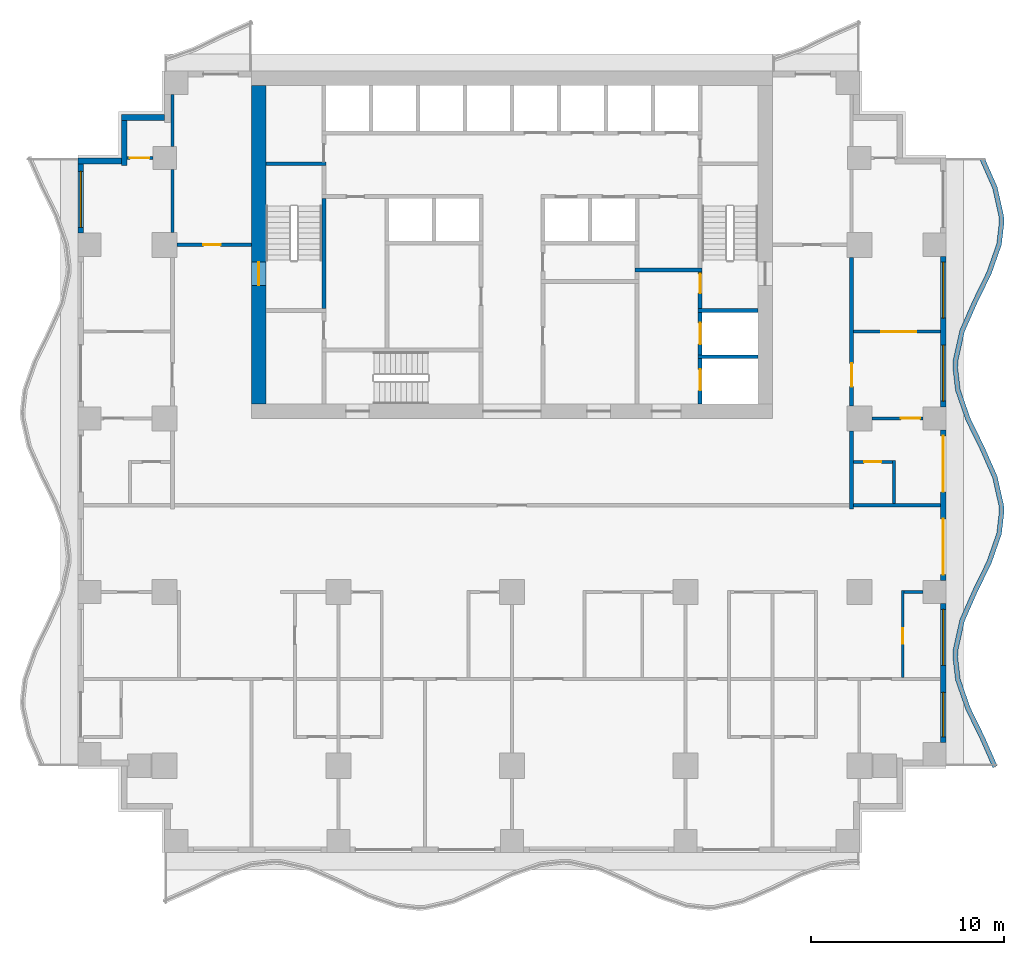
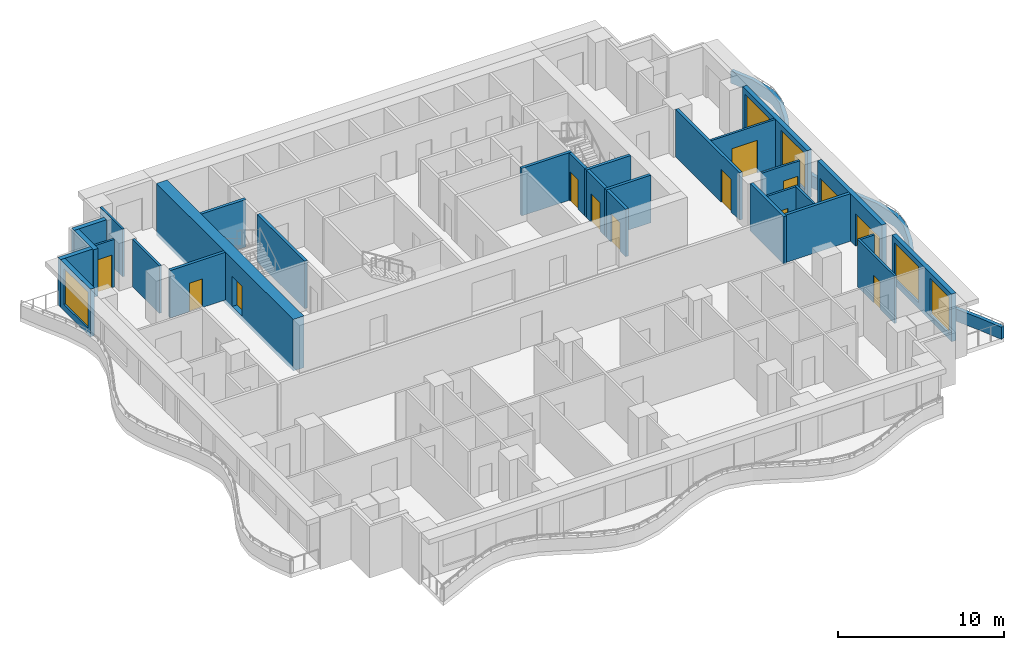
# One storey, part 4 of 10: 30 walls, 13 doors, 5 windows, 18 openings.
"""IFC4 building model written with IfcOpenShell, lengths in metres."""

from ifc_helpers import new_model, si_unit, direction, frame, frame_2d, origin, place, context, subcontext, project, spatial, polyline, rectangle, outline, extrude, material, layer, layer_set, type_object, element, fill, save


model = new_model("IFC4")

# Units and contexts
model_context = context("Model", 3, precision=1e-05, world=origin(), true_north=direction((0.0, 1.0)))
body_context = subcontext(model_context, "Body", "Model", "MODEL_VIEW")
ifc_project = project(units=[si_unit("LENGTHUNIT", "METRE"), si_unit("AREAUNIT", "SQUARE_METRE"), si_unit("VOLUMEUNIT", "CUBIC_METRE"), si_unit("PLANEANGLEUNIT", "RADIAN"), si_unit("MASSUNIT", "GRAM", prefix="KILO")], contexts=[model_context])

# Site, building, storey
site_placement = place(None, origin())
site = spatial("IfcSite", under=ifc_project, at=site_placement, CompositionType="ELEMENT")
building_placement = place(site_placement, origin())
building = spatial("IfcBuilding", under=site, at=building_placement, Name="Orbiselva Terraces", CompositionType="ELEMENT")
storey_placement = place(building_placement, frame((0.0, 0.0, 125.0)))
storey = spatial("IfcBuildingStorey", under=building, at=storey_placement, Name="L31", CompositionType="ELEMENT", Elevation=125.0)

# Wall, opening, door
ifc_material_1 = material(Name="Concrete C80/95", Category="concrete")
ifc_layer_1 = layer(ifc_material_1, 0.75)
ifc_layer_set_1 = layer_set([ifc_layer_1], Name="Concrete C80/95")
wall_type_1 = type_object("IfcWallType", Name="CORE WALL 750", PredefinedType="SHEAR", material=ifc_layer_set_1)
wall_1_placement = place(storey_placement, frame((-13.125, 21.75, -0.3), z_axis=(0.0, 0.0, 1.0), x_axis=(0.0, -1.0, 0.0)))
wall_1 = element("IfcWall", 1, at=wall_1_placement, inside=storey, type_object=wall_type_1, Name="Core wall L31 west", PredefinedType="SHEAR", context=body_context, shape_type="SweptSolid", body=[
    extrude(rectangle(XDim=16.5, YDim=0.75, at=frame_2d((8.25, 0.0))), origin(), (0.0, 0.0, 1.0), 3.8),
])
opening_1_placement = place(wall_1_placement, frame((9.15, 0.0, 0.3)))
opening_1 = element("IfcOpeningElement", 2, at=opening_1_placement, cuts=wall_1, Name="Opening DS1200", PredefinedType="OPENING", context=body_context, shape_type="SweptSolid", body=[
    extrude(rectangle(XDim=1.2, YDim=2.2, at=frame_2d((0.6, 1.1))), frame((0.0, 0.385, 0.0), z_axis=(0.0, -1.0, 0.0), x_axis=(1.0, 0.0, 0.0)), (0.0, 0.0, 1.0), 0.77),
])
ifc_material_2 = material(Name="Steel fire door", Category="steel")
door_type_1 = type_object("IfcDoorType", Name="STAIR DOOR 1200", OperationType="NOTDEFINED", PredefinedType="DOOR", material=ifc_material_2)
door_1_placement = place(opening_1_placement, frame((1.2, 0.0, 0.0), z_axis=(0.0, 0.0, 1.0), x_axis=(-1.0, 0.0, 0.0)))
door_1 = element("IfcDoor", 3, at=door_1_placement, inside=storey, type_object=door_type_1, Name="L31 EXIT STAIR S1 door", OperationType="SINGLE_SWING_RIGHT", OverallHeight=2.2, OverallWidth=1.2, PredefinedType="DOOR", context=body_context, shape_type="SweptSolid", body=[
    extrude(rectangle(XDim=1.2, YDim=2.2, at=frame_2d((0.6, 1.1))), frame((0.0, 0.025, 0.0), z_axis=(0.0, -1.0, 0.0), x_axis=(1.0, 0.0, 0.0)), (0.0, 0.0, 1.0), 0.05),
])
fill(opening_1, door_1)

# Walls
ifc_material_3 = material(Name="Concrete C60/75", Category="concrete")
ifc_layer_2 = layer(ifc_material_3, 0.2)
ifc_layer_set_2 = layer_set([ifc_layer_2], Name="Concrete C60/75")
wall_type_2 = type_object("IfcWallType", Name="CORE-WALL-SHEAR-200", PredefinedType="SHEAR", material=ifc_layer_set_2)
wall_2_placement = place(storey_placement, frame((-12.75, 17.7, 0.0), z_axis=(0.0, 0.0, 1.0), x_axis=(1.0, 0.0, 0.0)))
element("IfcWall", 4, at=wall_2_placement, inside=storey, type_object=wall_type_2, Name="L31 core wall 02", PredefinedType="SHEAR", context=body_context, shape_type="SweptSolid", body=[
    extrude(rectangle(XDim=3.1, YDim=0.2, at=frame_2d((1.55, 0.0))), origin(), (0.0, 0.0, 1.0), 3.5),
])
wall_3_placement = place(storey_placement, frame((-9.75, 10.2, 0.0), z_axis=(0.0, 0.0, 1.0), x_axis=(0.0, 1.0, 0.0)))
element("IfcWall", 5, at=wall_3_placement, inside=storey, type_object=wall_type_2, Name="L31 core wall 06", PredefinedType="SHEAR", context=body_context, shape_type="SweptSolid", body=[
    extrude(rectangle(XDim=5.7, YDim=0.2, at=frame_2d((2.85, 0.0))), origin(), (0.0, 0.0, 1.0), 3.5),
])
wall_4_placement = place(storey_placement, frame((6.375, 12.2, 0.0), z_axis=(0.0, 0.0, 1.0), x_axis=(1.0, 0.0, 0.0)))
element("IfcWall", 6, at=wall_4_placement, inside=storey, type_object=wall_type_2, Name="L31 core wall 34", PredefinedType="SHEAR", context=body_context, shape_type="SweptSolid", body=[
    extrude(rectangle(XDim=3.475, YDim=0.2, at=frame_2d((1.7375, 0.0))), origin(), (0.0, 0.0, 1.0), 3.5),
])

# Wall, opening, door
wall_5_placement = place(storey_placement, frame((9.75, 5.25, 0.0), z_axis=(0.0, 0.0, 1.0), x_axis=(0.0, 1.0, 0.0)))
wall_5 = element("IfcWall", 7, at=wall_5_placement, inside=storey, type_object=wall_type_2, Name="L31 core wall 38", PredefinedType="SHEAR", context=body_context, shape_type="SweptSolid", body=[
    extrude(rectangle(XDim=2.35, YDim=0.2, at=frame_2d((1.175, 0.0))), origin(), (0.0, 0.0, 1.0), 3.5),
])
opening_2_placement = place(wall_5_placement, frame((0.7, 0.0, 0.0)))
opening_2 = element("IfcOpeningElement", 8, at=opening_2_placement, cuts=wall_5, Name="Opening LD-FF1", PredefinedType="OPENING", context=body_context, shape_type="SweptSolid", body=[
    extrude(rectangle(XDim=1.1, YDim=2.1, at=frame_2d((0.55, 1.05))), frame((0.0, 0.11, 0.0), z_axis=(0.0, -1.0, 0.0), x_axis=(1.0, 0.0, 0.0)), (0.0, 0.0, 1.0), 0.22),
])
ifc_material_4 = material(Name="Stainless steel landing door", Category="steel")
door_type_2 = type_object("IfcDoorType", Name="LANDING DOOR 1100", OperationType="SLIDING_TO_LEFT", PredefinedType="DOOR", material=ifc_material_4)
door_2_placement = place(opening_2_placement, origin())
door_2 = element("IfcDoor", 9, at=door_2_placement, inside=storey, type_object=door_type_2, Name="L31 landing door FF1", OperationType="SLIDING_TO_RIGHT", OverallHeight=2.1, OverallWidth=1.1, PredefinedType="DOOR", context=body_context, shape_type="SweptSolid", body=[
    extrude(rectangle(XDim=1.1, YDim=2.1, at=frame_2d((0.55, 1.05))), frame((0.0, 0.025, 0.0), z_axis=(0.0, -1.0, 0.0), x_axis=(1.0, 0.0, 0.0)), (0.0, 0.0, 1.0), 0.05),
])
fill(opening_2, door_2)

# Wall
wall_6_placement = place(storey_placement, frame((9.65, 7.7, 0.0), z_axis=(0.0, 0.0, 1.0), x_axis=(1.0, 0.0, 0.0)))
element("IfcWall", 10, at=wall_6_placement, inside=storey, type_object=wall_type_2, Name="L31 core wall 39", PredefinedType="SHEAR", context=body_context, shape_type="SweptSolid", body=[
    extrude(rectangle(XDim=3.1, YDim=0.2, at=frame_2d((1.55, 0.0))), origin(), (0.0, 0.0, 1.0), 3.5),
])

# Wall, opening, door
wall_7_placement = place(storey_placement, frame((9.75, 7.8, 0.0), z_axis=(0.0, 0.0, 1.0), x_axis=(0.0, 1.0, 0.0)))
wall_7 = element("IfcWall", 11, at=wall_7_placement, inside=storey, type_object=wall_type_2, Name="L31 core wall 40", PredefinedType="SHEAR", context=body_context, shape_type="SweptSolid", body=[
    extrude(rectangle(XDim=2.2, YDim=0.2, at=frame_2d((1.1, 0.0))), origin(), (0.0, 0.0, 1.0), 3.5),
])
opening_3_placement = place(wall_7_placement, frame((0.55, 0.0, 0.0)))
opening_3 = element("IfcOpeningElement", 12, at=opening_3_placement, cuts=wall_7, Name="Opening LD-FF2", PredefinedType="OPENING", context=body_context, shape_type="SweptSolid", body=[
    extrude(rectangle(XDim=1.1, YDim=2.1, at=frame_2d((0.55, 1.05))), frame((0.0, 0.11, 0.0), z_axis=(0.0, -1.0, 0.0), x_axis=(1.0, 0.0, 0.0)), (0.0, 0.0, 1.0), 0.22),
])
door_3_placement = place(opening_3_placement, origin())
door_3 = element("IfcDoor", 13, at=door_3_placement, inside=storey, type_object=door_type_2, Name="L31 landing door FF2", OperationType="SLIDING_TO_RIGHT", OverallHeight=2.1, OverallWidth=1.1, PredefinedType="DOOR", context=body_context, shape_type="SweptSolid", body=[
    extrude(rectangle(XDim=1.1, YDim=2.1, at=frame_2d((0.55, 1.05))), frame((0.0, 0.025, 0.0), z_axis=(0.0, -1.0, 0.0), x_axis=(1.0, 0.0, 0.0)), (0.0, 0.0, 1.0), 0.05),
])
fill(opening_3, door_3)

# Wall
wall_8_placement = place(storey_placement, frame((9.65, 10.1, 0.0), z_axis=(0.0, 0.0, 1.0), x_axis=(1.0, 0.0, 0.0)))
element("IfcWall", 14, at=wall_8_placement, inside=storey, type_object=wall_type_2, Name="L31 core wall 41", PredefinedType="SHEAR", context=body_context, shape_type="SweptSolid", body=[
    extrude(rectangle(XDim=3.1, YDim=0.2, at=frame_2d((1.55, 0.0))), origin(), (0.0, 0.0, 1.0), 3.5),
])

# Wall, opening, door
wall_9_placement = place(storey_placement, frame((9.75, 12.1, 0.0), z_axis=(0.0, 0.0, 1.0), x_axis=(0.0, -1.0, 0.0)))
wall_9 = element("IfcWall", 15, at=wall_9_placement, inside=storey, type_object=wall_type_2, Name="L31 core wall 42", PredefinedType="SHEAR", context=body_context, shape_type="SweptSolid", body=[
    extrude(rectangle(XDim=1.9, YDim=0.2, at=frame_2d((0.95, 0.0))), origin(), (0.0, 0.0, 1.0), 3.5),
])
opening_4_placement = place(wall_9_placement, frame((0.1, 0.0, 0.0)))
opening_4 = element("IfcOpeningElement", 16, at=opening_4_placement, cuts=wall_9, Name="Opening DS1000", PredefinedType="OPENING", context=body_context, shape_type="SweptSolid", body=[
    extrude(rectangle(XDim=1.0, YDim=2.2, at=frame_2d((0.5, 1.1))), frame((0.0, 0.11, 0.0), z_axis=(0.0, -1.0, 0.0), x_axis=(1.0, 0.0, 0.0)), (0.0, 0.0, 1.0), 0.22),
])
door_type_3 = type_object("IfcDoorType", Name="STAIR DOOR 1000", OperationType="NOTDEFINED", PredefinedType="DOOR", material=ifc_material_2)
door_4_placement = place(opening_4_placement, origin())
door_4 = element("IfcDoor", 17, at=door_4_placement, inside=storey, type_object=door_type_3, Name="L31 FIRE-FIGHTING LOBBY TO EXIT STAIR S2 door", OperationType="SINGLE_SWING_LEFT", OverallHeight=2.2, OverallWidth=1.0, PredefinedType="DOOR", context=body_context, shape_type="SweptSolid", body=[
    extrude(rectangle(XDim=1.0, YDim=2.2, at=frame_2d((0.5, 1.1))), frame((0.0, 0.025, 0.0), z_axis=(0.0, -1.0, 0.0), x_axis=(1.0, 0.0, 0.0)), (0.0, 0.0, 1.0), 0.05),
])
fill(opening_4, door_4)

# Wall
ifc_material_5 = material(Name="Concrete C40/50", Category="concrete")
ifc_layer_3 = layer(ifc_material_5, 0.25)
ifc_layer_set_3 = layer_set([ifc_layer_3], Name="Concrete C40/50")
wall_type_3 = type_object("IfcWallType", Name="ENV-PLANTER-250x900", PredefinedType="USERDEFINED", material=ifc_layer_set_3)
wall_10_placement = place(storey_placement, origin())
element("IfcWall", 18, at=wall_10_placement, inside=storey, type_object=wall_type_3, Name="Balcony planter L31 E", ObjectType="PLANTER", PredefinedType="USERDEFINED", context=body_context, shape_type="SweptSolid", body=[
    extrude(outline(polyline([(25.148528, -13.5), (24.487721, -12.0), (23.755211, -10.5), (23.230792, -9.0), (23.1, -7.875), (23.114774, -7.5), (23.451472, -6.0), (24.112279, -4.5), (24.844789, -3.0), (25.369208, -1.5), (25.5, -0.375), (25.485226, 0.0), (25.148528, 1.5), (24.487721, 3.0), (23.755211, 4.5), (23.230792, 6.0), (23.1, 7.125), (23.114774, 7.5), (23.451472, 9.0), (24.112279, 10.5), (24.844789, 12.0), (25.369208, 13.5), (25.5, 14.625), (25.485226, 15.0), (25.148528, 16.5), (24.487721, 18.0), (24.258938, 17.899212), (24.90993, 16.421492), (25.236315, 14.967435), (25.249429, 14.634572), (25.124078, 13.556371), (24.613667, 12.09644), (23.885477, 10.605286), (23.212874, 9.078508), (22.865863, 7.532565), (22.849429, 7.115428), (22.985662, 5.943629), (23.524089, 4.40356), (24.260919, 2.894714), (24.90993, 1.421492), (25.236315, -0.032565), (25.249429, -0.365428), (25.124078, -1.443629), (24.613667, -2.90356), (23.885477, -4.394714), (23.212874, -5.921492), (22.865863, -7.467435), (22.849429, -7.884572), (22.985662, -9.056371), (23.524089, -10.59644), (24.260919, -12.105286), (24.919745, -13.600788), (25.148528, -13.5)])), origin(), (0.0, 0.0, 1.0), 0.9),
])

# Wall, openings, windows
ifc_material_6 = material(Name="Terracotta cladding on masonry backing", Category="masonry")
ifc_layer_4 = layer(ifc_material_6, 0.3)
ifc_layer_set_4 = layer_set([ifc_layer_4], Name="Terracotta cladding on masonry backing")
wall_type_4 = type_object("IfcWallType", Name="ENV-WALL-TERRACOTTA-300", PredefinedType="SOLIDWALL", material=ifc_layer_set_4)
wall_11_placement = place(storey_placement, frame((22.35, -5.1, 0.0), z_axis=(0.0, 0.0, 1.0), x_axis=(0.0, -1.0, 0.0)))
wall_11 = element("IfcWall", 19, at=wall_11_placement, inside=storey, type_object=wall_type_4, Name="Facade wall L31 E", PredefinedType="SOLIDWALL", context=body_context, shape_type="SweptSolid", body=[
    extrude(rectangle(XDim=7.2, YDim=0.3, at=frame_2d((3.6, 0.0))), origin(), (0.0, 0.0, 1.0), 3.5),
])
opening_5_placement = place(wall_11_placement, frame((4.6, 0.0, 0.45)))
opening_5 = element("IfcOpeningElement", 20, at=opening_5_placement, cuts=wall_11, Name="Opening WN7", PredefinedType="OPENING", context=body_context, shape_type="SweptSolid", body=[
    extrude(rectangle(XDim=2.3, YDim=2.65, at=frame_2d((1.15, 1.325))), frame((0.0, 0.16, 0.0), z_axis=(0.0, -1.0, 0.0), x_axis=(1.0, 0.0, 0.0)), (0.0, 0.0, 1.0), 0.32),
])
opening_6_placement = place(wall_11_placement, frame((0.3, 0.0, 0.45)))
opening_6 = element("IfcOpeningElement", 21, at=opening_6_placement, cuts=wall_11, Name="Opening WN8", PredefinedType="OPENING", context=body_context, shape_type="SweptSolid", body=[
    extrude(rectangle(XDim=2.9, YDim=2.65, at=frame_2d((1.45, 1.325))), frame((0.0, 0.16, 0.0), z_axis=(0.0, -1.0, 0.0), x_axis=(1.0, 0.0, 0.0)), (0.0, 0.0, 1.0), 0.32),
])
ifc_material_7 = material(Name="Clear low-e glazing in aluminium frame", Category="aluminium")
window_type_1 = type_object("IfcWindowType", Name="WINDOW 2300 X 2650 S450", PartitioningType="TRIPLE_PANEL_VERTICAL", PredefinedType="WINDOW", material=ifc_material_7)
window_1_placement = place(opening_5_placement, origin())
window_1 = element("IfcWindow", 22, at=window_1_placement, inside=storey, type_object=window_type_1, Name="Window L31 E", OverallHeight=2.65, OverallWidth=2.3, PartitioningType="SINGLE_PANEL", PredefinedType="WINDOW", context=body_context, shape_type="SweptSolid", body=[
    extrude(rectangle(XDim=2.3, YDim=2.65, at=frame_2d((1.15, 1.325))), frame((0.0, 0.03, 0.0), z_axis=(0.0, -1.0, 0.0), x_axis=(1.0, 0.0, 0.0)), (0.0, 0.0, 1.0), 0.06),
])
fill(opening_5, window_1)
window_type_2 = type_object("IfcWindowType", Name="WINDOW 2900 X 2650 S450", PartitioningType="TRIPLE_PANEL_VERTICAL", PredefinedType="WINDOW", material=ifc_material_7)
window_2_placement = place(opening_6_placement, origin())
window_2 = element("IfcWindow", 23, at=window_2_placement, inside=storey, type_object=window_type_2, Name="Window L31 E", OverallHeight=2.65, OverallWidth=2.9, PartitioningType="SINGLE_PANEL", PredefinedType="WINDOW", context=body_context, shape_type="SweptSolid", body=[
    extrude(rectangle(XDim=2.9, YDim=2.65, at=frame_2d((1.45, 1.325))), frame((0.0, 0.03, 0.0), z_axis=(0.0, -1.0, 0.0), x_axis=(1.0, 0.0, 0.0)), (0.0, 0.0, 1.0), 0.06),
])
fill(opening_6, window_2)

# Wall, openings, doors
wall_12_placement = place(storey_placement, frame((22.35, 3.9, 0.0), z_axis=(0.0, 0.0, 1.0), x_axis=(0.0, -1.0, 0.0)))
wall_12 = element("IfcWall", 24, at=wall_12_placement, inside=storey, type_object=wall_type_4, Name="Facade wall L31 E", PredefinedType="SOLIDWALL", context=body_context, shape_type="SweptSolid", body=[
    extrude(rectangle(XDim=7.8, YDim=0.3, at=frame_2d((3.9, 0.0))), origin(), (0.0, 0.0, 1.0), 3.5),
])
opening_7_placement = place(wall_12_placement, frame((4.6, 0.0, 0.0)))
opening_7 = element("IfcOpeningElement", 25, at=opening_7_placement, cuts=wall_12, Name="Opening Z3-A-E04", PredefinedType="OPENING", context=body_context, shape_type="SweptSolid", body=[
    extrude(rectangle(XDim=2.9, YDim=2.4, at=frame_2d((1.45, 1.2))), frame((0.0, 0.16, 0.0), z_axis=(0.0, -1.0, 0.0), x_axis=(1.0, 0.0, 0.0)), (0.0, 0.0, 1.0), 0.32),
])
opening_8_placement = place(wall_12_placement, frame((0.3, 0.0, 0.0)))
opening_8 = element("IfcOpeningElement", 26, at=opening_8_placement, cuts=wall_12, Name="Opening Z3-A-E05", PredefinedType="OPENING", context=body_context, shape_type="SweptSolid", body=[
    extrude(rectangle(XDim=2.9, YDim=2.4, at=frame_2d((1.45, 1.2))), frame((0.0, 0.16, 0.0), z_axis=(0.0, -1.0, 0.0), x_axis=(1.0, 0.0, 0.0)), (0.0, 0.0, 1.0), 0.32),
])
door_type_4 = type_object("IfcDoorType", Name="BALCONY DOOR 2900 X 2400", OperationType="DOUBLE_DOOR_SLIDING", PredefinedType="DOOR", material=ifc_material_7)
door_5_placement = place(opening_7_placement, origin())
door_5 = element("IfcDoor", 27, at=door_5_placement, inside=storey, type_object=door_type_4, Name="Z3-A-E04", OperationType="SINGLE_SWING_LEFT", OverallHeight=2.4, OverallWidth=2.9, PredefinedType="DOOR", context=body_context, shape_type="SweptSolid", body=[
    extrude(rectangle(XDim=2.9, YDim=2.4, at=frame_2d((1.45, 1.2))), frame((0.0, 0.025, 0.0), z_axis=(0.0, -1.0, 0.0), x_axis=(1.0, 0.0, 0.0)), (0.0, 0.0, 1.0), 0.05),
])
fill(opening_7, door_5)
door_6_placement = place(opening_8_placement, origin())
door_6 = element("IfcDoor", 28, at=door_6_placement, inside=storey, type_object=door_type_4, Name="Z3-A-E05", OperationType="SINGLE_SWING_LEFT", OverallHeight=2.4, OverallWidth=2.9, PredefinedType="DOOR", context=body_context, shape_type="SweptSolid", body=[
    extrude(rectangle(XDim=2.9, YDim=2.4, at=frame_2d((1.45, 1.2))), frame((0.0, 0.025, 0.0), z_axis=(0.0, -1.0, 0.0), x_axis=(1.0, 0.0, 0.0)), (0.0, 0.0, 1.0), 0.05),
])
fill(opening_8, door_6)

# Wall, openings, windows
wall_13_placement = place(storey_placement, frame((22.35, 12.9, 0.0), z_axis=(0.0, 0.0, 1.0), x_axis=(0.0, -1.0, 0.0)))
wall_13 = element("IfcWall", 29, at=wall_13_placement, inside=storey, type_object=wall_type_4, Name="Facade wall L31 E", PredefinedType="SOLIDWALL", context=body_context, shape_type="SweptSolid", body=[
    extrude(rectangle(XDim=7.8, YDim=0.3, at=frame_2d((3.9, 0.0))), origin(), (0.0, 0.0, 1.0), 3.5),
])
opening_9_placement = place(wall_13_placement, frame((4.6, 0.0, 0.45)))
opening_9 = element("IfcOpeningElement", 30, at=opening_9_placement, cuts=wall_13, Name="Opening WN8", PredefinedType="OPENING", context=body_context, shape_type="SweptSolid", body=[
    extrude(rectangle(XDim=2.9, YDim=2.65, at=frame_2d((1.45, 1.325))), frame((0.0, 0.16, 0.0), z_axis=(0.0, -1.0, 0.0), x_axis=(1.0, 0.0, 0.0)), (0.0, 0.0, 1.0), 0.32),
])
opening_10_placement = place(wall_13_placement, frame((0.3, 0.0, 0.45)))
opening_10 = element("IfcOpeningElement", 31, at=opening_10_placement, cuts=wall_13, Name="Opening WN8", PredefinedType="OPENING", context=body_context, shape_type="SweptSolid", body=[
    extrude(rectangle(XDim=2.9, YDim=2.65, at=frame_2d((1.45, 1.325))), frame((0.0, 0.16, 0.0), z_axis=(0.0, -1.0, 0.0), x_axis=(1.0, 0.0, 0.0)), (0.0, 0.0, 1.0), 0.32),
])
window_3_placement = place(opening_9_placement, origin())
window_3 = element("IfcWindow", 32, at=window_3_placement, inside=storey, type_object=window_type_2, Name="Window L31 E", OverallHeight=2.65, OverallWidth=2.9, PartitioningType="SINGLE_PANEL", PredefinedType="WINDOW", context=body_context, shape_type="SweptSolid", body=[
    extrude(rectangle(XDim=2.9, YDim=2.65, at=frame_2d((1.45, 1.325))), frame((0.0, 0.03, 0.0), z_axis=(0.0, -1.0, 0.0), x_axis=(1.0, 0.0, 0.0)), (0.0, 0.0, 1.0), 0.06),
])
fill(opening_9, window_3)
window_4_placement = place(opening_10_placement, origin())
window_4 = element("IfcWindow", 33, at=window_4_placement, inside=storey, type_object=window_type_2, Name="Window L31 E", OverallHeight=2.65, OverallWidth=2.9, PartitioningType="SINGLE_PANEL", PredefinedType="WINDOW", context=body_context, shape_type="SweptSolid", body=[
    extrude(rectangle(XDim=2.9, YDim=2.65, at=frame_2d((1.45, 1.325))), frame((0.0, 0.03, 0.0), z_axis=(0.0, -1.0, 0.0), x_axis=(1.0, 0.0, 0.0)), (0.0, 0.0, 1.0), 0.06),
])
fill(opening_10, window_4)

# Walls
wall_14_placement = place(storey_placement, frame((-20.25, 20.1, 0.0), z_axis=(0.0, 0.0, 1.0), x_axis=(1.0, 0.0, 0.0)))
element("IfcWall", 34, at=wall_14_placement, inside=storey, type_object=wall_type_4, Name="Facade wall L31 STEP", PredefinedType="SOLIDWALL", context=body_context, shape_type="SweptSolid", body=[
    extrude(rectangle(XDim=2.25, YDim=0.3, at=frame_2d((1.125, 0.0))), origin(), (0.0, 0.0, 1.0), 3.5),
])
wall_15_placement = place(storey_placement, frame((-20.1, 17.6, 0.0), z_axis=(0.0, 0.0, 1.0), x_axis=(0.0, 1.0, 0.0)))
element("IfcWall", 35, at=wall_15_placement, inside=storey, type_object=wall_type_4, Name="Facade wall L31 STEP", PredefinedType="SOLIDWALL", context=body_context, shape_type="SweptSolid", body=[
    extrude(rectangle(XDim=2.35, YDim=0.3, at=frame_2d((1.175, 0.0))), origin(), (0.0, 0.0, 1.0), 3.5),
])
wall_16_placement = place(storey_placement, frame((-22.5, 17.85, 0.0), z_axis=(0.0, 0.0, 1.0), x_axis=(1.0, 0.0, 0.0)))
element("IfcWall", 36, at=wall_16_placement, inside=storey, type_object=wall_type_4, Name="Facade wall L31 STEP", PredefinedType="SOLIDWALL", context=body_context, shape_type="SweptSolid", body=[
    extrude(rectangle(XDim=2.25, YDim=0.3, at=frame_2d((1.125, 0.0))), origin(), (0.0, 0.0, 1.0), 3.5),
])

# Wall, opening, window
wall_17_placement = place(storey_placement, frame((-22.35, 14.1, 0.0), z_axis=(0.0, 0.0, 1.0), x_axis=(0.0, 1.0, 0.0)))
wall_17 = element("IfcWall", 37, at=wall_17_placement, inside=storey, type_object=wall_type_4, Name="Facade wall L31 W", PredefinedType="SOLIDWALL", context=body_context, shape_type="SweptSolid", body=[
    extrude(rectangle(XDim=3.6, YDim=0.3, at=frame_2d((1.8, 0.0))), origin(), (0.0, 0.0, 1.0), 3.5),
])
opening_11_placement = place(wall_17_placement, frame((0.3, 0.0, 0.45)))
opening_11 = element("IfcOpeningElement", 38, at=opening_11_placement, cuts=wall_17, Name="Opening WN8", PredefinedType="OPENING", context=body_context, shape_type="SweptSolid", body=[
    extrude(rectangle(XDim=2.9, YDim=2.65, at=frame_2d((1.45, 1.325))), frame((0.0, 0.16, 0.0), z_axis=(0.0, -1.0, 0.0), x_axis=(1.0, 0.0, 0.0)), (0.0, 0.0, 1.0), 0.32),
])
window_5_placement = place(opening_11_placement, origin())
window_5 = element("IfcWindow", 39, at=window_5_placement, inside=storey, type_object=window_type_2, Name="Window L31 W", OverallHeight=2.65, OverallWidth=2.9, PartitioningType="SINGLE_PANEL", PredefinedType="WINDOW", context=body_context, shape_type="SweptSolid", body=[
    extrude(rectangle(XDim=2.9, YDim=2.65, at=frame_2d((1.45, 1.325))), frame((0.0, 0.03, 0.0), z_axis=(0.0, -1.0, 0.0), x_axis=(1.0, 0.0, 0.0)), (0.0, 0.0, 1.0), 0.06),
])
fill(opening_11, window_5)

# Wall, opening, door
ifc_material_8 = material(Name="Plasterboard on steel stud partition", Category="steel")
ifc_layer_5 = layer(ifc_material_8, 0.2)
ifc_layer_set_5 = layer_set([ifc_layer_5], Name="Plasterboard on steel stud partition")
wall_type_5 = type_object("IfcWallType", Name="UNIT-ENTRANCE-WALL-200", PredefinedType="PARTITIONING", material=ifc_layer_set_5)
wall_18_placement = place(storey_placement, frame((-17.35, 13.5, 0.0), z_axis=(0.0, 0.0, 1.0), x_axis=(1.0, 0.0, 0.0)))
wall_18 = element("IfcWall", 40, at=wall_18_placement, inside=storey, type_object=wall_type_5, Name="PARTITION L31-031", PredefinedType="PARTITIONING", context=body_context, shape_type="SweptSolid", body=[
    extrude(rectangle(XDim=3.85, YDim=0.2, at=frame_2d((1.925, 0.0))), origin(), (0.0, 0.0, 1.0), 3.5),
])
opening_12_placement = place(wall_18_placement, frame((1.35, 0.0, 0.0)))
opening_12 = element("IfcOpeningElement", 41, at=opening_12_placement, cuts=wall_18, Name="Opening Z3-A-01", PredefinedType="OPENING", context=body_context, shape_type="SweptSolid", body=[
    extrude(rectangle(XDim=0.9, YDim=2.1, at=frame_2d((0.45, 1.05))), frame((0.0, 0.11, 0.0), z_axis=(0.0, -1.0, 0.0), x_axis=(1.0, 0.0, 0.0)), (0.0, 0.0, 1.0), 0.22),
])
ifc_material_9 = material(Name="Painted timber door leaf", Category="wood")
door_type_5 = type_object("IfcDoorType", Name="SERVICE DOOR 900", OperationType="NOTDEFINED", PredefinedType="DOOR", material=ifc_material_9)
door_7_placement = place(opening_12_placement, origin())
door_7 = element("IfcDoor", 42, at=door_7_placement, inside=storey, type_object=door_type_5, Name="Z3-A-01", OperationType="SINGLE_SWING_LEFT", OverallHeight=2.1, OverallWidth=0.9, PredefinedType="DOOR", context=body_context, shape_type="SweptSolid", body=[
    extrude(rectangle(XDim=0.9, YDim=2.1, at=frame_2d((0.45, 1.05))), frame((0.0, 0.025, 0.0), z_axis=(0.0, -1.0, 0.0), x_axis=(1.0, 0.0, 0.0)), (0.0, 0.0, 1.0), 0.05),
])
fill(opening_12, door_7)

# Wall
wall_19_placement = place(storey_placement, frame((17.6, -0.2, 0.0), z_axis=(0.0, 0.0, 1.0), x_axis=(0.0, 1.0, 0.0)))
element("IfcWall", 43, at=wall_19_placement, inside=storey, type_object=wall_type_5, Name="PARTITION L31-058", PredefinedType="PARTITIONING", context=body_context, shape_type="SweptSolid", body=[
    extrude(rectangle(XDim=4.05, YDim=0.2, at=frame_2d((2.025, 0.0))), origin(), (0.0, 0.0, 1.0), 3.5),
])

# Wall, opening, door
wall_20_placement = place(storey_placement, frame((17.6, 12.85, 0.0), z_axis=(0.0, 0.0, 1.0), x_axis=(0.0, -1.0, 0.0)))
wall_20 = element("IfcWall", 44, at=wall_20_placement, inside=storey, type_object=wall_type_5, Name="PARTITION L31-059", PredefinedType="PARTITIONING", context=body_context, shape_type="SweptSolid", body=[
    extrude(rectangle(XDim=7.7, YDim=0.2, at=frame_2d((3.85, 0.0))), origin(), (0.0, 0.0, 1.0), 3.5),
])
opening_13_placement = place(wall_20_placement, frame((5.5, 0.0, 0.0)))
opening_13 = element("IfcOpeningElement", 45, at=opening_13_placement, cuts=wall_20, Name="Opening Z3-A-10", PredefinedType="OPENING", context=body_context, shape_type="SweptSolid", body=[
    extrude(rectangle(XDim=1.2, YDim=2.4, at=frame_2d((0.6, 1.2))), frame((0.0, 0.11, 0.0), z_axis=(0.0, -1.0, 0.0), x_axis=(1.0, 0.0, 0.0)), (0.0, 0.0, 1.0), 0.22),
])
door_type_6 = type_object("IfcDoorType", Name="ENTRANCE DOOR 1200", OperationType="NOTDEFINED", PredefinedType="DOOR", material=ifc_material_9)
door_8_placement = place(opening_13_placement, origin())
door_8 = element("IfcDoor", 46, at=door_8_placement, inside=storey, type_object=door_type_6, Name="Z3-A-10", OperationType="SINGLE_SWING_RIGHT", OverallHeight=2.4, OverallWidth=1.2, PredefinedType="DOOR", context=body_context, shape_type="SweptSolid", body=[
    extrude(rectangle(XDim=1.2, YDim=2.4, at=frame_2d((0.6, 1.2))), frame((0.0, 0.025, 0.0), z_axis=(0.0, -1.0, 0.0), x_axis=(1.0, 0.0, 0.0)), (0.0, 0.0, 1.0), 0.05),
])
fill(opening_13, door_8)

# Wall
ifc_layer_6 = layer(ifc_material_8, 0.15)
ifc_layer_set_6 = layer_set([ifc_layer_6], Name="Plasterboard on steel stud partition")
wall_type_6 = type_object("IfcWallType", Name="UNIT-PARTITION-150", PredefinedType="PARTITIONING", material=ifc_layer_set_6)
wall_21_placement = place(storey_placement, frame((20.325, -4.5, 0.0), z_axis=(0.0, 0.0, 1.0), x_axis=(1.0, 0.0, 0.0)))
element("IfcWall", 47, at=wall_21_placement, inside=storey, type_object=wall_type_6, Name="PARTITION L31-021", PredefinedType="PARTITIONING", context=body_context, shape_type="SweptSolid", body=[
    extrude(rectangle(XDim=0.975, YDim=0.15, at=frame_2d((0.4875, 0.0))), origin(), (0.0, 0.0, 1.0), 3.5),
])

# Wall, opening, door
wall_22_placement = place(storey_placement, frame((19.73, 2.25, 0.0), z_axis=(0.0, 0.0, 1.0), x_axis=(-1.0, 0.0, 0.0)))
wall_22 = element("IfcWall", 48, at=wall_22_placement, inside=storey, type_object=wall_type_6, Name="PARTITION L31-026", PredefinedType="PARTITIONING", context=body_context, shape_type="SweptSolid", body=[
    extrude(rectangle(XDim=2.03, YDim=0.15, at=frame_2d((1.015, 0.0))), origin(), (0.0, 0.0, 1.0), 3.5),
])
opening_14_placement = place(wall_22_placement, frame((0.58, 0.0, 0.0)))
opening_14 = element("IfcOpeningElement", 49, at=opening_14_placement, cuts=wall_22, Name="Opening Z3-A-09", PredefinedType="OPENING", context=body_context, shape_type="SweptSolid", body=[
    extrude(rectangle(XDim=0.9, YDim=2.1, at=frame_2d((0.45, 1.05))), frame((0.0, 0.085, 0.0), z_axis=(0.0, -1.0, 0.0), x_axis=(1.0, 0.0, 0.0)), (0.0, 0.0, 1.0), 0.17),
])
door_type_7 = type_object("IfcDoorType", Name="BATH DOOR 900", OperationType="NOTDEFINED", PredefinedType="DOOR", material=ifc_material_9)
door_9_placement = place(opening_14_placement, origin())
door_9 = element("IfcDoor", 50, at=door_9_placement, inside=storey, type_object=door_type_7, Name="Z3-A-09", OperationType="SINGLE_SWING_RIGHT", OverallHeight=2.1, OverallWidth=0.9, PredefinedType="DOOR", context=body_context, shape_type="SweptSolid", body=[
    extrude(rectangle(XDim=0.9, YDim=2.1, at=frame_2d((0.45, 1.05))), frame((0.0, 0.025, 0.0), z_axis=(0.0, -1.0, 0.0), x_axis=(1.0, 0.0, 0.0)), (0.0, 0.0, 1.0), 0.05),
])
fill(opening_14, door_9)

wall_23_placement = place(storey_placement, frame((21.3, 4.5, 0.0), z_axis=(0.0, 0.0, 1.0), x_axis=(-1.0, 0.0, 0.0)))
wall_23 = element("IfcWall", 51, at=wall_23_placement, inside=storey, type_object=wall_type_6, Name="PARTITION L31-028", PredefinedType="PARTITIONING", context=body_context, shape_type="SweptSolid", body=[
    extrude(rectangle(XDim=2.65, YDim=0.15, at=frame_2d((1.325, 0.0))), origin(), (0.0, 0.0, 1.0), 3.5),
])
opening_15_placement = place(wall_23_placement, frame((0.15, 0.0, 0.0)))
opening_15 = element("IfcOpeningElement", 52, at=opening_15_placement, cuts=wall_23, Name="Opening Z3-A-08", PredefinedType="OPENING", context=body_context, shape_type="SweptSolid", body=[
    extrude(rectangle(XDim=1.0, YDim=2.4, at=frame_2d((0.5, 1.2))), frame((0.0, 0.085, 0.0), z_axis=(0.0, -1.0, 0.0), x_axis=(1.0, 0.0, 0.0)), (0.0, 0.0, 1.0), 0.17),
])
door_type_8 = type_object("IfcDoorType", Name="ROOM DOOR 1000", OperationType="NOTDEFINED", PredefinedType="DOOR", material=ifc_material_9)
door_10_placement = place(opening_15_placement, origin())
door_10 = element("IfcDoor", 53, at=door_10_placement, inside=storey, type_object=door_type_8, Name="Z3-A-08", OperationType="SINGLE_SWING_LEFT", OverallHeight=2.4, OverallWidth=1.0, PredefinedType="DOOR", context=body_context, shape_type="SweptSolid", body=[
    extrude(rectangle(XDim=1.0, YDim=2.4, at=frame_2d((0.5, 1.2))), frame((0.0, 0.025, 0.0), z_axis=(0.0, -1.0, 0.0), x_axis=(1.0, 0.0, 0.0)), (0.0, 0.0, 1.0), 0.05),
])
fill(opening_15, door_10)

wall_24_placement = place(storey_placement, frame((17.7, 9.0, 0.0), z_axis=(0.0, 0.0, 1.0), x_axis=(1.0, 0.0, 0.0)))
wall_24 = element("IfcWall", 54, at=wall_24_placement, inside=storey, type_object=wall_type_6, Name="PARTITION L31-030", PredefinedType="PARTITIONING", context=body_context, shape_type="SweptSolid", body=[
    extrude(rectangle(XDim=4.5, YDim=0.15, at=frame_2d((2.25, 0.0))), origin(), (0.0, 0.0, 1.0), 3.5),
])
opening_16_placement = place(wall_24_placement, frame((1.45, 0.0, 0.0)))
opening_16 = element("IfcOpeningElement", 55, at=opening_16_placement, cuts=wall_24, Name="Opening Z3-A-11", PredefinedType="OPENING", context=body_context, shape_type="SweptSolid", body=[
    extrude(rectangle(XDim=1.8, YDim=2.4, at=frame_2d((0.9, 1.2))), frame((0.0, 0.085, 0.0), z_axis=(0.0, -1.0, 0.0), x_axis=(1.0, 0.0, 0.0)), (0.0, 0.0, 1.0), 0.17),
])
door_type_9 = type_object("IfcDoorType", Name="DOUBLE DOOR 1800", OperationType="NOTDEFINED", PredefinedType="DOOR", material=ifc_material_9)
door_11_placement = place(opening_16_placement, origin())
door_11 = element("IfcDoor", 56, at=door_11_placement, inside=storey, type_object=door_type_9, Name="Z3-A-11", OperationType="DOUBLE_DOOR_SINGLE_SWING", OverallHeight=2.4, OverallWidth=1.8, PredefinedType="DOOR", context=body_context, shape_type="SweptSolid", body=[
    extrude(rectangle(XDim=1.8, YDim=2.4, at=frame_2d((0.9, 1.2))), frame((0.0, 0.025, 0.0), z_axis=(0.0, -1.0, 0.0), x_axis=(1.0, 0.0, 0.0)), (0.0, 0.0, 1.0), 0.05),
])
fill(opening_16, door_11)

wall_25_placement = place(storey_placement, frame((-19.95, 18.0, 0.0), z_axis=(0.0, 0.0, 1.0), x_axis=(1.0, 0.0, 0.0)))
wall_25 = element("IfcWall", 57, at=wall_25_placement, inside=storey, type_object=wall_type_6, Name="PARTITION L31-033", PredefinedType="PARTITIONING", context=body_context, shape_type="SweptSolid", body=[
    extrude(rectangle(XDim=1.35, YDim=0.15, at=frame_2d((0.675, 0.0))), origin(), (0.0, 0.0, 1.0), 3.5),
])
opening_17_placement = place(wall_25_placement, frame((0.15, 0.0, 0.0)))
opening_17 = element("IfcOpeningElement", 58, at=opening_17_placement, cuts=wall_25, Name="Opening Z3-A-07", PredefinedType="OPENING", context=body_context, shape_type="SweptSolid", body=[
    extrude(rectangle(XDim=1.0, YDim=2.4, at=frame_2d((0.5, 1.2))), frame((0.0, 0.085, 0.0), z_axis=(0.0, -1.0, 0.0), x_axis=(1.0, 0.0, 0.0)), (0.0, 0.0, 1.0), 0.17),
])
door_12_placement = place(opening_17_placement, origin())
door_12 = element("IfcDoor", 59, at=door_12_placement, inside=storey, type_object=door_type_8, Name="Z3-A-07", OperationType="SINGLE_SWING_LEFT", OverallHeight=2.4, OverallWidth=1.0, PredefinedType="DOOR", context=body_context, shape_type="SweptSolid", body=[
    extrude(rectangle(XDim=1.0, YDim=2.4, at=frame_2d((0.5, 1.2))), frame((0.0, 0.025, 0.0), z_axis=(0.0, -1.0, 0.0), x_axis=(1.0, 0.0, 0.0)), (0.0, 0.0, 1.0), 0.05),
])
fill(opening_17, door_12)

# Walls
wall_26_placement = place(storey_placement, frame((-17.6, 14.15, 0.0), z_axis=(0.0, 0.0, 1.0), x_axis=(0.0, 1.0, 0.0)))
element("IfcWall", 60, at=wall_26_placement, inside=storey, type_object=wall_type_6, Name="PARTITION L31-039", PredefinedType="PARTITIONING", context=body_context, shape_type="SweptSolid", body=[
    extrude(rectangle(XDim=3.25, YDim=0.15, at=frame_2d((1.625, 0.0))), origin(), (0.0, 0.0, 1.0), 3.5),
])
wall_27_placement = place(storey_placement, frame((-17.6, 18.6, 0.0), z_axis=(0.0, 0.0, 1.0), x_axis=(0.0, 1.0, 0.0)))
element("IfcWall", 61, at=wall_27_placement, inside=storey, type_object=wall_type_6, Name="PARTITION L31-040", PredefinedType="PARTITIONING", context=body_context, shape_type="SweptSolid", body=[
    extrude(rectangle(XDim=2.7, YDim=0.15, at=frame_2d((1.35, 0.0))), origin(), (0.0, 0.0, 1.0), 3.5),
])
wall_28_placement = place(storey_placement, frame((19.805, 0.1, 0.0), z_axis=(0.0, 0.0, 1.0), x_axis=(0.0, 1.0, 0.0)))
element("IfcWall", 62, at=wall_28_placement, inside=storey, type_object=wall_type_6, Name="PARTITION L31-064", PredefinedType="PARTITIONING", context=body_context, shape_type="SweptSolid", body=[
    extrude(rectangle(XDim=2.225, YDim=0.15, at=frame_2d((1.1125, 0.0))), origin(), (0.0, 0.0, 1.0), 3.5),
])

# Wall, opening, door
wall_29_placement = place(storey_placement, frame((20.25, -4.425, 0.0), z_axis=(0.0, 0.0, 1.0), x_axis=(0.0, -1.0, 0.0)))
wall_29 = element("IfcWall", 63, at=wall_29_placement, inside=storey, type_object=wall_type_6, Name="PARTITION L31-065", PredefinedType="PARTITIONING", context=body_context, shape_type="SweptSolid", body=[
    extrude(rectangle(XDim=4.5, YDim=0.15, at=frame_2d((2.25, 0.0))), origin(), (0.0, 0.0, 1.0), 3.5),
])
opening_18_placement = place(wall_29_placement, frame((1.95, 0.0, 0.0)))
opening_18 = element("IfcOpeningElement", 64, at=opening_18_placement, cuts=wall_29, Name="Opening Z3-A-22", PredefinedType="OPENING", context=body_context, shape_type="SweptSolid", body=[
    extrude(rectangle(XDim=0.8, YDim=2.0, at=frame_2d((0.4, 1.0))), frame((0.0, 0.085, 0.0), z_axis=(0.0, -1.0, 0.0), x_axis=(1.0, 0.0, 0.0)), (0.0, 0.0, 1.0), 0.17),
])
door_type_10 = type_object("IfcDoorType", Name="STORE DOOR 800", OperationType="NOTDEFINED", PredefinedType="DOOR", material=ifc_material_9)
door_13_placement = place(opening_18_placement, origin())
door_13 = element("IfcDoor", 65, at=door_13_placement, inside=storey, type_object=door_type_10, Name="Z3-A-22", OperationType="SINGLE_SWING_RIGHT", OverallHeight=2.0, OverallWidth=0.8, PredefinedType="DOOR", context=body_context, shape_type="SweptSolid", body=[
    extrude(rectangle(XDim=0.8, YDim=2.0, at=frame_2d((0.4, 1.0))), frame((0.0, 0.025, 0.0), z_axis=(0.0, -1.0, 0.0), x_axis=(1.0, 0.0, 0.0)), (0.0, 0.0, 1.0), 0.05),
])
fill(opening_18, door_13)

# Wall
ifc_layer_7 = layer(ifc_material_8, 0.2)
ifc_layer_set_7 = layer_set([ifc_layer_7], Name="Plasterboard on steel stud partition")
wall_type_7 = type_object("IfcWallType", Name="UNIT-PARTY-WALL-200", PredefinedType="PARTITIONING", material=ifc_layer_set_7)
wall_30_placement = place(storey_placement, frame((17.7, 0.0, 0.0), z_axis=(0.0, 0.0, 1.0), x_axis=(1.0, 0.0, 0.0)))
element("IfcWall", 66, at=wall_30_placement, inside=storey, type_object=wall_type_7, Name="PARTITION L31-024", PredefinedType="PARTITIONING", context=body_context, shape_type="SweptSolid", body=[
    extrude(rectangle(XDim=4.5, YDim=0.2, at=frame_2d((2.25, 0.0))), origin(), (0.0, 0.0, 1.0), 3.5),
])

save(model, "model.ifc")
